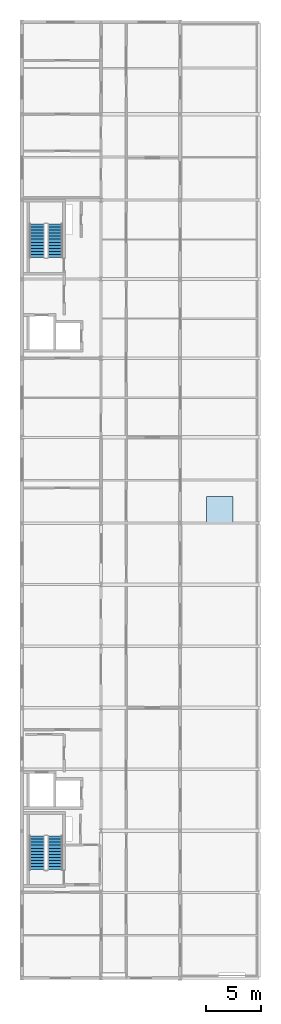
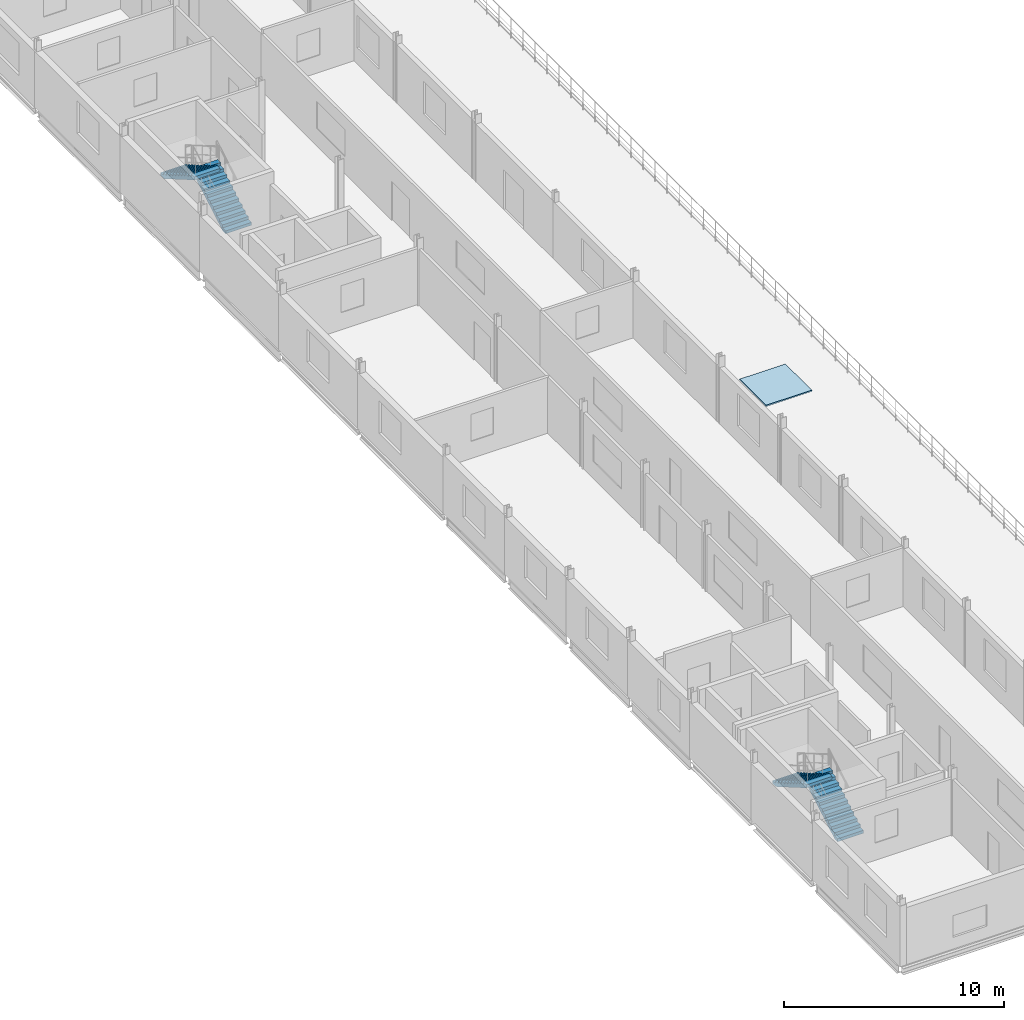
# One storey, part 11 of 14: 4 stair flights, 1 roof, 2 elements without a shape of their own.
"""IFC4 building model written with IfcOpenShell, lengths in metres."""

from ifc_helpers import new_model, si_unit, direction, frame, origin, origin_2d, place, context, subcontext, project, spatial, polyline, rectangle, outline, extrude, material, layer, layer_set, type_object, element, aggregate, save


model = new_model("IFC4")

# Units and contexts
model_context = context("Model", 3, precision=1e-05, world=origin(), true_north=direction((0.0, 1.0)))
body_context = subcontext(model_context, "Body", "Model", "MODEL_VIEW")
ifc_project = project(units=[si_unit("LENGTHUNIT", "METRE"), si_unit("AREAUNIT", "SQUARE_METRE"), si_unit("VOLUMEUNIT", "CUBIC_METRE"), si_unit("PLANEANGLEUNIT", "RADIAN"), si_unit("MASSUNIT", "GRAM", prefix="KILO")], contexts=[model_context])

# Site, building, storey
site_placement = place(None, origin())
site = spatial("IfcSite", under=ifc_project, at=site_placement, CompositionType="ELEMENT")
building_placement = place(site_placement, origin())
building = spatial("IfcBuilding", under=site, at=building_placement, Name="Vinh Khe Railworks Police Headquarters", CompositionType="ELEMENT")
storey_placement = place(building_placement, frame((0.0, 0.0, 32.699951171875)))
storey = spatial("IfcBuildingStorey", under=building, at=storey_placement, Name="L08", CompositionType="ELEMENT", Elevation=32.699951171875)

# Stair, stair flights
ifc_material_1 = material(Name="Precast concrete C40/50 (B40)", Category="concrete")
stair_type = type_object("IfcStairType", Name="ST-CORE-DOGLEG", PredefinedType="HALF_TURN_STAIR", material=ifc_material_1)
stair_1_placement = place(storey_placement, origin())
stair_1 = element("IfcStair", 1, at=stair_1_placement, inside=storey, type_object=stair_type, Name="L08 Escape Stair ST-01", PredefinedType="HALF_TURN_STAIR")
stair_flight_type = type_object("IfcStairFlightType", Name="STF-PRECAST-1350", PredefinedType="STRAIGHT", material=ifc_material_1)
stair_flight_1_placement = place(storey_placement, frame((3.625, 27.25, 0.0), z_axis=(0.0, 0.0, 1.0), x_axis=(0.0, 1.0, 0.0)))
stair_flight_1 = element("IfcStairFlight", 2, at=stair_flight_1_placement, type_object=stair_flight_type, Name="ST-01 flight 1", NumberOfRisers=12, NumberOfTreads=11, PredefinedType="STRAIGHT", RiserHeight=0.1625, TreadLength=0.28, context=body_context, shape_type="SweptSolid", body=[
    extrude(outline(polyline([(0.0, 0.0), (0.0, 0.16259765625), (0.280029296875, 0.16259765625), (0.280029296875, 0.324951171875), (0.56005859375, 0.324951171875), (0.56005859375, 0.487548828125), (0.840087890625, 0.487548828125), (0.840087890625, 0.64990234375), (1.1201171875, 0.64990234375), (1.1201171875, 0.8125), (1.39990234375, 0.8125), (1.39990234375, 0.97509765625), (1.679931640625, 0.97509765625), (1.679931640625, 1.137451171875), (1.9599609375, 1.137451171875), (1.9599609375, 1.300048828125), (2.239990234375, 1.300048828125), (2.239990234375, 1.46240234375), (2.52001953125, 1.46240234375), (2.52001953125, 1.625), (2.800048828125, 1.625), (2.800048828125, 1.78759765625), (3.080078125, 1.78759765625), (3.080078125, 1.949951171875), (3.080078125, 1.6142578125), (0.298583984375, 0.0), (0.0, 0.0)])), frame((0.0, 0.675048828125, 0.0), z_axis=(0.0, -1.0, 0.0), x_axis=(1.0, 0.0, 0.0)), (0.0, 0.0, 1.0), 1.35009765625),
])
stair_flight_2_placement = place(storey_placement, frame((1.97509765625, 30.330078125, 1.949951171875), z_axis=(0.0, 0.0, 1.0), x_axis=(0.0, -1.0, 0.0)))
stair_flight_2 = element("IfcStairFlight", 3, at=stair_flight_2_placement, type_object=stair_flight_type, Name="ST-01 flight 2", NumberOfRisers=12, NumberOfTreads=11, PredefinedType="STRAIGHT", RiserHeight=0.1625, TreadLength=0.28, context=body_context, shape_type="SweptSolid", body=[
    extrude(outline(polyline([(0.0, 0.0), (0.0, 0.16259765625), (0.280029296875, 0.16259765625), (0.280029296875, 0.324951171875), (0.56005859375, 0.324951171875), (0.56005859375, 0.487548828125), (0.840087890625, 0.487548828125), (0.840087890625, 0.64990234375), (1.1201171875, 0.64990234375), (1.1201171875, 0.8125), (1.39990234375, 0.8125), (1.39990234375, 0.97509765625), (1.679931640625, 0.97509765625), (1.679931640625, 1.137451171875), (1.9599609375, 1.137451171875), (1.9599609375, 1.300048828125), (2.239990234375, 1.300048828125), (2.239990234375, 1.46240234375), (2.52001953125, 1.46240234375), (2.52001953125, 1.625), (2.800048828125, 1.625), (2.800048828125, 1.78759765625), (3.080078125, 1.78759765625), (3.080078125, 1.949951171875), (3.080078125, 1.6142578125), (0.298583984375, 0.0), (0.0, 0.0)])), frame((0.0, 0.675048828125, 0.0), z_axis=(0.0, -1.0, 0.0), x_axis=(1.0, 0.0, 0.0)), (0.0, 0.0, 1.0), 1.35009765625),
])
aggregate(stair_1, [stair_flight_1, stair_flight_2])

stair_2_placement = place(storey_placement, origin())
stair_2 = element("IfcStair", 4, at=stair_2_placement, inside=storey, type_object=stair_type, Name="L08 Escape Stair ST-02", PredefinedType="HALF_TURN_STAIR")
stair_flight_3_placement = place(storey_placement, frame((3.625, 82.949951171875, 0.0), z_axis=(0.0, 0.0, 1.0), x_axis=(0.0, 1.0, 0.0)))
stair_flight_3 = element("IfcStairFlight", 5, at=stair_flight_3_placement, type_object=stair_flight_type, Name="ST-02 flight 1", NumberOfRisers=12, NumberOfTreads=11, PredefinedType="STRAIGHT", RiserHeight=0.1625, TreadLength=0.28, context=body_context, shape_type="SweptSolid", body=[
    extrude(outline(polyline([(0.0, 0.0), (0.0, 0.16259765625), (0.280029296875, 0.16259765625), (0.280029296875, 0.324951171875), (0.56005859375, 0.324951171875), (0.56005859375, 0.487548828125), (0.840087890625, 0.487548828125), (0.840087890625, 0.64990234375), (1.1201171875, 0.64990234375), (1.1201171875, 0.8125), (1.39990234375, 0.8125), (1.39990234375, 0.97509765625), (1.679931640625, 0.97509765625), (1.679931640625, 1.137451171875), (1.9599609375, 1.137451171875), (1.9599609375, 1.300048828125), (2.239990234375, 1.300048828125), (2.239990234375, 1.46240234375), (2.52001953125, 1.46240234375), (2.52001953125, 1.625), (2.800048828125, 1.625), (2.800048828125, 1.78759765625), (3.080078125, 1.78759765625), (3.080078125, 1.949951171875), (3.080078125, 1.6142578125), (0.298583984375, 0.0), (0.0, 0.0)])), frame((0.0, 0.675048828125, 0.0), z_axis=(0.0, -1.0, 0.0), x_axis=(1.0, 0.0, 0.0)), (0.0, 0.0, 1.0), 1.35009765625),
])
stair_flight_4_placement = place(storey_placement, frame((1.97509765625, 86.030029296875, 1.949951171875), z_axis=(0.0, 0.0, 1.0), x_axis=(0.0, -1.0, 0.0)))
stair_flight_4 = element("IfcStairFlight", 6, at=stair_flight_4_placement, type_object=stair_flight_type, Name="ST-02 flight 2", NumberOfRisers=12, NumberOfTreads=11, PredefinedType="STRAIGHT", RiserHeight=0.1625, TreadLength=0.28, context=body_context, shape_type="SweptSolid", body=[
    extrude(outline(polyline([(0.0, 0.0), (0.0, 0.16259765625), (0.280029296875, 0.16259765625), (0.280029296875, 0.324951171875), (0.56005859375, 0.324951171875), (0.56005859375, 0.487548828125), (0.840087890625, 0.487548828125), (0.840087890625, 0.64990234375), (1.1201171875, 0.64990234375), (1.1201171875, 0.8125), (1.39990234375, 0.8125), (1.39990234375, 0.97509765625), (1.679931640625, 0.97509765625), (1.679931640625, 1.137451171875), (1.9599609375, 1.137451171875), (1.9599609375, 1.300048828125), (2.239990234375, 1.300048828125), (2.239990234375, 1.46240234375), (2.52001953125, 1.46240234375), (2.52001953125, 1.625), (2.800048828125, 1.625), (2.800048828125, 1.78759765625), (3.080078125, 1.78759765625), (3.080078125, 1.949951171875), (3.080078125, 1.6142578125), (0.298583984375, 0.0), (0.0, 0.0)])), frame((0.0, 0.675048828125, 0.0), z_axis=(0.0, -1.0, 0.0), x_axis=(1.0, 0.0, 0.0)), (0.0, 0.0, 1.0), 1.35009765625),
])
aggregate(stair_2, [stair_flight_3, stair_flight_4])

# Roof
ifc_material_2 = material(Name="Concrete C35/45 (B35)", Category="concrete")
ifc_layer = layer(ifc_material_2, 0.080078125)
ifc_layer_set = layer_set([ifc_layer], Name="Concrete C35/45 (B35)")
roof_type = type_object("IfcRoofType", Name="Flat Roof Weathering Cap Assembly", PredefinedType="FLAT_ROOF", material=ifc_layer_set)
roof_placement = place(storey_placement, frame((18.60009765625, 60.0, -0.02001953125), z_axis=(0.0, 0.0, 1.0), x_axis=(1.0, 0.0, 0.0)))
element("IfcRoof", 7, at=roof_placement, inside=storey, type_object=roof_type, Name="Flat Roof Weathering Cap ROOF-CAP-V5E", PredefinedType="FLAT_ROOF", context=body_context, shape_type="SweptSolid", body=[
    extrude(rectangle(XDim=2.39990234375, YDim=2.39990234375, at=origin_2d()), origin(), (0.0, 0.0, 1.0), 0.080078125),
])

save(model, "model.ifc")
